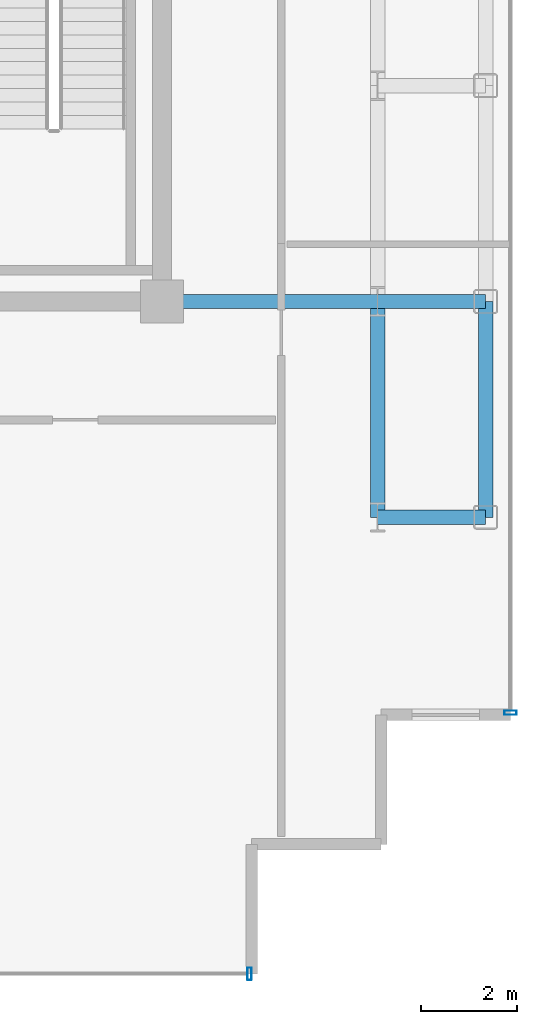
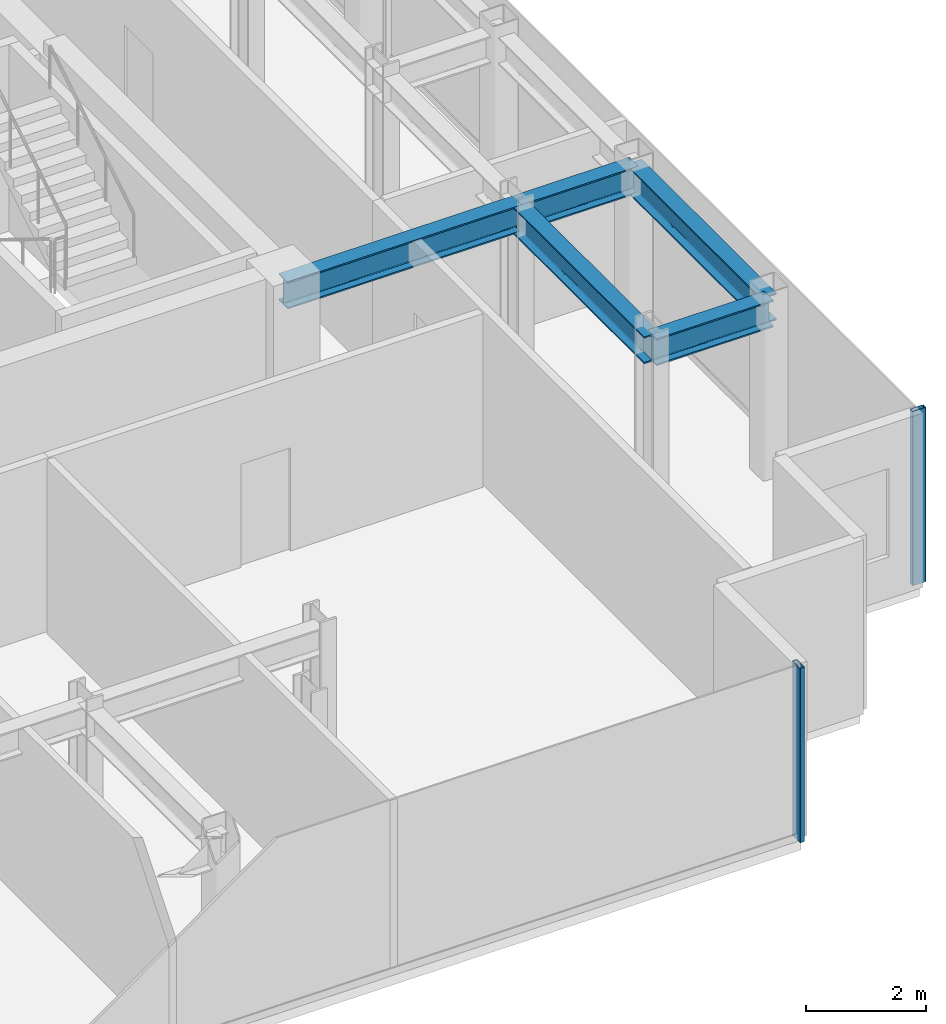
# One storey, part 6 of 18: 5 beams, 2 members, 2 elements without a shape of their own.
"""IFC4 building model written with IfcOpenShell, lengths in metres."""

from ifc_helpers import new_model, si_unit, direction, frame, origin, origin_2d, place, context, subcontext, project, spatial, hollow_rectangle, i_section, extrude, source, transform, mapped, material, layer, layer_set, material_profile, profile_set, type_object, element, aggregate, save


model = new_model("IFC4")

# Units and contexts
model_context = context("Model", 3, precision=1e-05, world=origin(), true_north=direction((0.0, 1.0)))
body_context = subcontext(model_context, "Body", "Model", "MODEL_VIEW")
ifc_project = project(units=[si_unit("LENGTHUNIT", "METRE"), si_unit("AREAUNIT", "SQUARE_METRE"), si_unit("VOLUMEUNIT", "CUBIC_METRE"), si_unit("PLANEANGLEUNIT", "RADIAN"), si_unit("MASSUNIT", "GRAM", prefix="KILO")], contexts=[model_context])

# Site, building, storey
site_placement = place(None, origin())
site = spatial("IfcSite", under=ifc_project, at=site_placement, CompositionType="ELEMENT")
building_placement = place(site_placement, origin())
building = spatial("IfcBuilding", under=site, at=building_placement, Name="Nefas-Gora Pilgrimage Tower", CompositionType="ELEMENT")
storey_placement = place(building_placement, frame((0.0, 0.0, 330.0)))
storey = spatial("IfcBuildingStorey", under=building, at=storey_placement, Name="L83", CompositionType="ELEMENT", Elevation=330.0)

# Beams
ifc_material_1 = material(Name="Steel S355", Category="steel")
ifc_material_profile_1 = material_profile(ifc_material_1, i_section(OverallWidth=0.300048828125, OverallDepth=0.550048828125, WebThickness=0.014892578125, FlangeThickness=0.029052734375, FilletRadius=0.027099609375, at=origin_2d()), Name="HEB 550")
ifc_profile_set_1 = profile_set([ifc_material_profile_1], Name="Steel S355")
beam_type_1 = type_object("IfcBeamType", Name="BM-SPN-HEB400", PredefinedType="SPANDREL", material=ifc_profile_set_1)
shared_shape_1 = source(origin(), body_context, "Body", "SweptSolid", [
    extrude(i_section(OverallWidth=0.300048828125, OverallDepth=0.550048828125, WebThickness=0.014892578125, FlangeThickness=0.029052734375, FilletRadius=0.027099609375, at=origin_2d()), origin(), (0.0, 0.0, 1.0), 4.5),
])
beam_placement = place(storey_placement, frame((18.0, -13.5, 3.27490234375), z_axis=(0.0, 1.0, 0.0), x_axis=(-1.0, 0.0, 0.0)))
element("IfcBeam", 1, at=beam_placement, inside=storey, type_object=beam_type_1, Name="L83 SP-04 beam", PredefinedType="SPANDREL", context=body_context, shape_type="MappedRepresentation", body=[
    mapped(shared_shape_1, transform((0.0, 0.0, 0.0), x_axis=(1.0, 0.0, 0.0), y_axis=(0.0, 1.0, 0.0), z_axis=(0.0, 0.0, 1.0), scale=1.0)),
])
ifc_material_profile_2 = material_profile(ifc_material_1, i_section(OverallWidth=0.300048828125, OverallDepth=0.550048828125, WebThickness=0.014892578125, FlangeThickness=0.029052734375, FilletRadius=0.027099609375, at=origin_2d()), Name="HEB 550")
ifc_profile_set_2 = profile_set([ifc_material_profile_2], Name="Steel S355")
beam_type_2 = type_object("IfcBeamType", Name="BM-GIR-HEB550", PredefinedType="BEAM", material=ifc_profile_set_2)
shared_shape_2 = source(origin(), body_context, "Body", "SweptSolid", [
    extrude(i_section(OverallWidth=0.300048828125, OverallDepth=0.550048828125, WebThickness=0.014892578125, FlangeThickness=0.029052734375, FilletRadius=0.027099609375, at=origin_2d()), origin(), (0.0, 0.0, 1.0), 4.5),
])
for number, where, z_axis, x_axis, name in (
    (2, (11.25, -9.0, 3.27490234375), (1.0, 0.0, 0.0), (0.0, 1.0, 0.0), "L83 G-05 beam"),
    (3, (15.75, -13.5, 3.27490234375), (0.0, 1.0, 0.0), (-1.0, 0.0, 0.0), "L83 G-05 beam"),
):
    element("IfcBeam", number, at=place(storey_placement, frame(where, z_axis=z_axis, x_axis=x_axis)), inside=storey, type_object=beam_type_2, Name=name, PredefinedType="BEAM", context=body_context, shape_type="MappedRepresentation", body=[
        mapped(shared_shape_2, transform((0.0, 0.0, 0.0), x_axis=(1.0, 0.0, 0.0), y_axis=(0.0, 1.0, 0.0), z_axis=(0.0, 0.0, 1.0), scale=1.0)),
    ])
shared_shape_3 = source(origin(), body_context, "Body", "SweptSolid", [
    extrude(i_section(OverallWidth=0.300048828125, OverallDepth=0.550048828125, WebThickness=0.014892578125, FlangeThickness=0.029052734375, FilletRadius=0.027099609375, at=origin_2d()), origin(), (0.0, 0.0, 1.0), 2.25),
])
for number, where, z_axis, x_axis, name in (
    (4, (15.75, -13.5, 3.27490234375), (1.0, 0.0, 0.0), (0.0, 1.0, 0.0), "L83 G-05 beam"),
    (5, (15.75, -9.0, 3.27490234375), (1.0, 0.0, 0.0), (0.0, 1.0, 0.0), "L83 G-05 beam"),
):
    element("IfcBeam", number, at=place(storey_placement, frame(where, z_axis=z_axis, x_axis=x_axis)), inside=storey, type_object=beam_type_2, Name=name, PredefinedType="BEAM", context=body_context, shape_type="MappedRepresentation", body=[
        mapped(shared_shape_3, transform((0.0, 0.0, 0.0), x_axis=(1.0, 0.0, 0.0), y_axis=(0.0, 1.0, 0.0), z_axis=(0.0, 0.0, 1.0), scale=1.0)),
    ])

# Curtain wall, member
ifc_material_2 = material(Name="Dark ceramic-fritted solar-control aluminium-glass curtain wall", Category="aluminium")
ifc_layer = layer(ifc_material_2, 0.219970703125)
ifc_layer_set = layer_set([ifc_layer], Name="Dark ceramic-fritted solar-control aluminium-glass curtain wall")
curtain_wall_type = type_object("IfcCurtainWallType", Name="CW-SYS-4", PredefinedType="NOTDEFINED", material=ifc_layer_set)
curtain_wall_1_placement = place(storey_placement, origin())
curtain_wall_1 = element("IfcCurtainWall", 6, at=curtain_wall_1_placement, inside=storey, type_object=curtain_wall_type, Name="L83 Unitised Curtain Wall CW4", PredefinedType="NOTDEFINED")
ifc_material_3 = material(Name="Anodised architectural aluminium", Category="aluminium")
ifc_material_profile_3 = material_profile(ifc_material_3, hollow_rectangle(XDim=0.090087890625, YDim=0.260009765625, WallThickness=0.006103515625, InnerFilletRadius=0.006103515625, OuterFilletRadius=0.011962890625, at=origin_2d()), Name="ALU MULLION 90x260")
ifc_profile_set_3 = profile_set([ifc_material_profile_3], Name="Anodised architectural aluminium")
member_type = type_object("IfcMemberType", Name="CWM-MUL-4", PredefinedType="MULLION", material=ifc_profile_set_3)
shared_shape_4 = source(origin(), body_context, "Body", "SweptSolid", [
    extrude(hollow_rectangle(XDim=0.090087890625, YDim=0.260009765625, WallThickness=0.006103515625, InnerFilletRadius=0.006103515625, OuterFilletRadius=0.011962890625, at=origin_2d()), origin(), (0.0, 0.0, 1.0), 3.550048828125),
])
member_1_placement = place(storey_placement, frame((18.52001953125, -17.574951171875, 0.0), z_axis=(0.0, 0.0, 1.0), x_axis=(0.0, 1.0, 0.0)))
member_1 = element("IfcMember", 7, at=member_1_placement, type_object=member_type, Name="CW4 Mullion 1", PredefinedType="MULLION", context=body_context, shape_type="MappedRepresentation", body=[
    mapped(shared_shape_4, transform((0.0, 0.0, 0.0), x_axis=(1.0, 0.0, 0.0), y_axis=(0.0, 1.0, 0.0), z_axis=(0.0, 0.0, 1.0), scale=1.0)),
])
aggregate(curtain_wall_1, [member_1])

curtain_wall_2_placement = place(storey_placement, origin())
curtain_wall_2 = element("IfcCurtainWall", 8, at=curtain_wall_2_placement, inside=storey, type_object=curtain_wall_type, Name="L83 Unitised Curtain Wall CW4", PredefinedType="NOTDEFINED")
member_2_placement = place(storey_placement, frame((13.074951171875, -23.02001953125, 0.0), z_axis=(0.0, 0.0, 1.0), x_axis=(1.0, 0.0, 0.0)))
member_2 = element("IfcMember", 9, at=member_2_placement, type_object=member_type, Name="CW4 Mullion 2", PredefinedType="MULLION", context=body_context, shape_type="MappedRepresentation", body=[
    mapped(shared_shape_4, transform((0.0, 0.0, 0.0), x_axis=(1.0, 0.0, 0.0), y_axis=(0.0, 1.0, 0.0), z_axis=(0.0, 0.0, 1.0), scale=1.0)),
])
aggregate(curtain_wall_2, [member_2])

save(model, "model.ifc")
